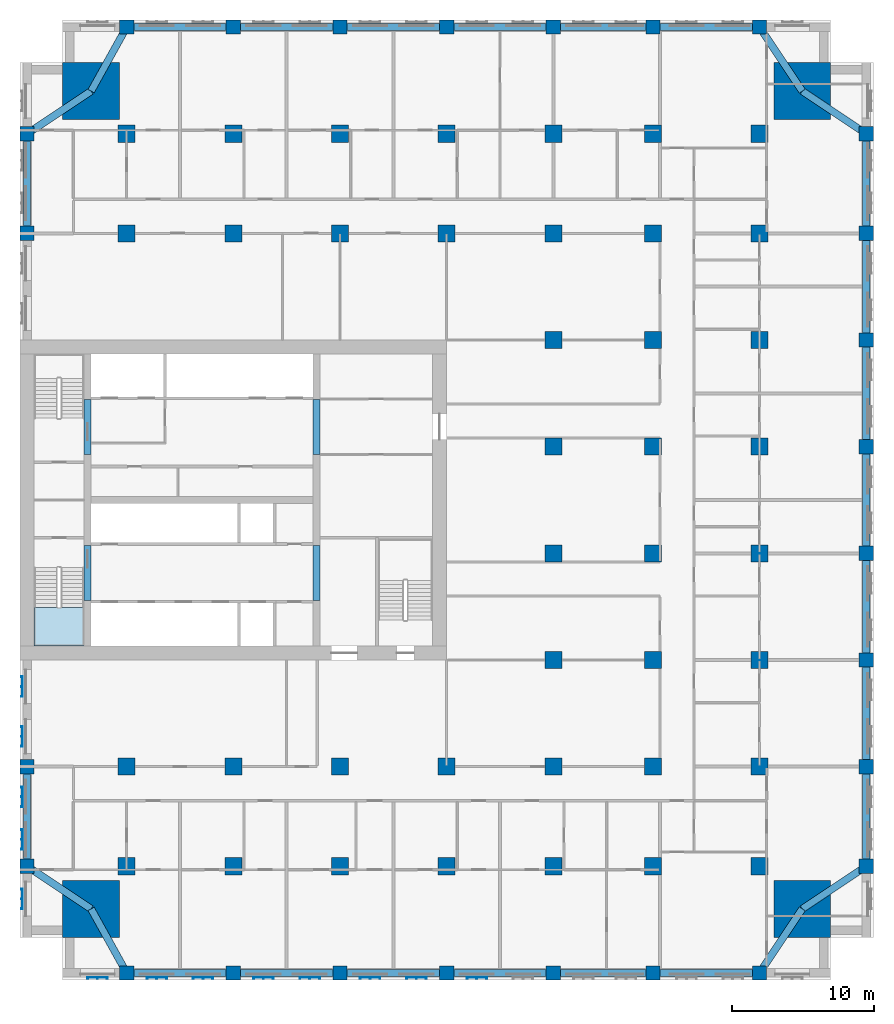
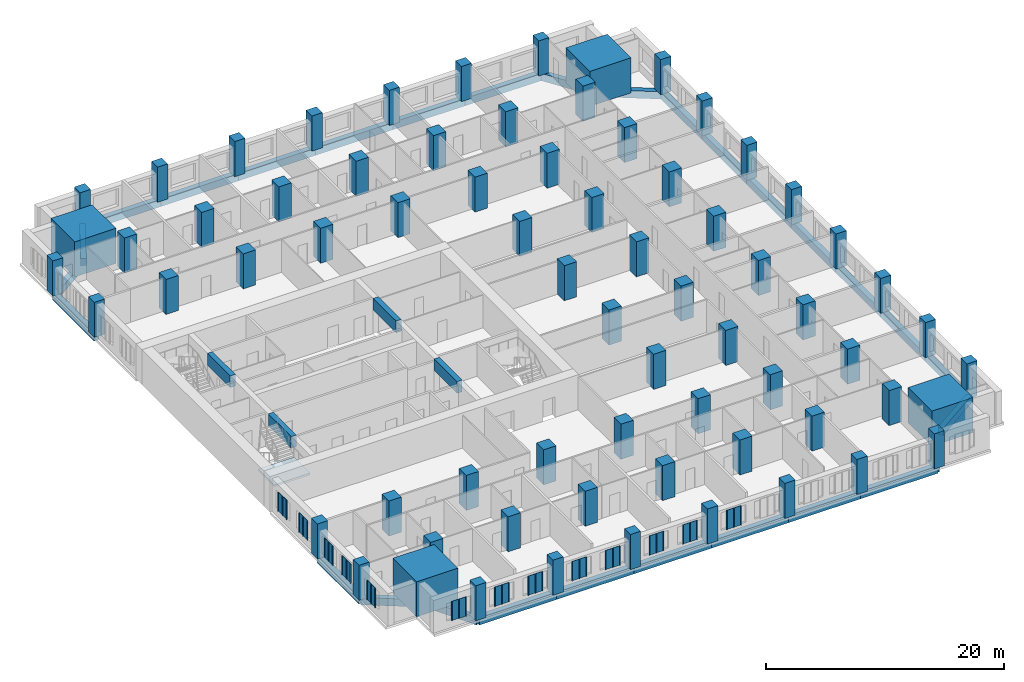
# One storey, part 1 of 14: 70 columns, 33 beams, 13 plates, 1 slab, 1 element without a shape of its own.
"""IFC4 building model written with IfcOpenShell, lengths in metres."""

import ifcopenshell
import ifcopenshell.guid

model = None  # the IFC model being written
_history = None  # IfcOwnerHistory: only IFC2X3 demands one
_inside = {}  # id of a spatial element -> (the spatial element, [elements in it])
_under = {}  # id of a project, library or spatial element -> (it, [spatial elements below it])
_declared = {}  # id of a project -> (the project, [libraries it declares])
_typed = {}  # id of a type object -> (the type object, [elements of that type])
_made_of = {}  # id of a material, layer set ... -> (it, [elements and type objects made of it])


def new_model(schema):
    """Start an empty IFC model of exactly this schema.

    Asked for "IFC4X3", IfcOpenShell would pick the latest addendum, in which some entities
    have other attributes; the version numbers below select the first issue.
    IFC2X3 requires an IfcOwnerHistory on every rooted entity: one is made here for all.
    """
    global model, _history
    if schema == "IFC4X3":
        model = ifcopenshell.file(schema_version=(4, 3, 0, 0))
    else:
        model = ifcopenshell.file(schema=schema)
    _inside.clear()
    _under.clear()
    _declared.clear()
    _typed.clear()
    _made_of.clear()
    _history = None
    if model.schema == "IFC2X3":
        org = make("IfcOrganization", Name="unknown")
        user = make(
            "IfcPersonAndOrganization",
            ThePerson=make("IfcPerson", FamilyName="unknown"),
            TheOrganization=org,
        )
        app = make(
            "IfcApplication",
            ApplicationDeveloper=org,
            Version="unknown",
            ApplicationFullName="unknown",
            ApplicationIdentifier="unknown",
        )
        _history = make(
            "IfcOwnerHistory",
            OwningUser=user,
            OwningApplication=app,
            ChangeAction="ADDED",
            CreationDate=0,
        )
    return model


def make(cls, **values):
    """One entity of the class cls with the attributes given. An attribute that is None is left unset."""
    return model.create_entity(
        cls, **{name: value for name, value in values.items() if value is not None}
    )


def rooted(cls, **values):
    """An entity with a GlobalId (a new one), such as an element, a storey or a relation."""
    return make(cls, GlobalId=ifcopenshell.guid.new(), OwnerHistory=_history, **values)


def si_unit(unit_type, name, prefix=None):
    """IfcSIUnit, for example si_unit("LENGTHUNIT", "METRE", prefix="MILLI")."""
    return make("IfcSIUnit", UnitType=unit_type, Prefix=prefix, Name=name)


def assignment(units):
    """IfcUnitAssignment: the units of a project."""
    return None if units is None else make("IfcUnitAssignment", Units=units)


def point(xyz):
    """IfcCartesianPoint."""
    return None if xyz is None else make("IfcCartesianPoint", Coordinates=xyz)


def direction(xyz):
    """IfcDirection."""
    return None if xyz is None else make("IfcDirection", DirectionRatios=xyz)


def frame(location, z_axis=None, x_axis=None):
    """IfcAxis2Placement3D, a coordinate frame: its origin and axes. An axis left out is left unset."""
    return make(
        "IfcAxis2Placement3D",
        Location=point(location),
        Axis=direction(z_axis),
        RefDirection=direction(x_axis),
    )


def frame_2d(location, x_axis=None):
    """IfcAxis2Placement2D, a coordinate frame in the plane: its origin and x axis."""
    return make(
        "IfcAxis2Placement2D", Location=point(location), RefDirection=direction(x_axis)
    )


def origin():
    """The frame at (0, 0, 0) with its axes left unset."""
    return frame((0.0, 0.0, 0.0))


def origin_2d():
    """The frame at (0, 0) in the plane with its x axis left unset."""
    return frame_2d((0.0, 0.0))


def place(relative_to, where):
    """IfcLocalPlacement: puts the frame where relative to a parent placement (None: the world)."""
    return make(
        "IfcLocalPlacement", PlacementRelTo=relative_to, RelativePlacement=where
    )


def context(
    kind, dimensions, precision=None, world=None, true_north=None, identifier=None
):
    """IfcGeometricRepresentationContext, for example the 3D "Model" context."""
    return make(
        "IfcGeometricRepresentationContext",
        ContextIdentifier=identifier,
        ContextType=kind,
        CoordinateSpaceDimension=dimensions,
        Precision=precision,
        WorldCoordinateSystem=world,
        TrueNorth=true_north,
    )


def subcontext(parent, identifier, kind, view, scale=None):
    """IfcGeometricRepresentationSubContext, for example "Body" below "Model"."""
    return make(
        "IfcGeometricRepresentationSubContext",
        ContextIdentifier=identifier,
        ContextType=kind,
        ParentContext=parent,
        TargetScale=scale,
        TargetView=view,
    )


def project(units=None, contexts=None):
    """IfcProject with its units and contexts."""
    return rooted(
        "IfcProject",
        Name="project",
        RepresentationContexts=contexts,
        UnitsInContext=assignment(units),
    )


def spatial(cls, under=None, at=None, **own):
    """A site, building, storey or space (cls), placed at a placement, below another one or the project."""
    s = rooted(cls, ObjectPlacement=at, **own)
    if under is not None:
        _under.setdefault(under.id(), (under, []))[1].append(s)
    return s


def polyline(points):
    """IfcPolyline through the points."""
    return make("IfcPolyline", Points=[point(p) for p in points])


def profile(cls, at=None, kind="AREA", **sizes):
    """A parametric profile (cls). Its sizes go by their IFC names, for example OverallWidth=200.0."""
    return make(cls, ProfileType=kind, Position=at, **sizes)


def rectangle(**sizes):
    """IfcRectangleProfileDef."""
    return profile("IfcRectangleProfileDef", **sizes)


def outline(outer, holes=None, kind="AREA"):
    """IfcArbitraryClosedProfileDef: a profile drawn as a closed curve; with holes, ...WithVoids."""
    if holes is None:
        return make("IfcArbitraryClosedProfileDef", ProfileType=kind, OuterCurve=outer)
    return make(
        "IfcArbitraryProfileDefWithVoids",
        ProfileType=kind,
        OuterCurve=outer,
        InnerCurves=holes,
    )


def extrude(swept, where, along, depth):
    """IfcExtrudedAreaSolid: the profile swept, set in the frame where, extruded along a direction by depth."""
    return make(
        "IfcExtrudedAreaSolid",
        SweptArea=swept,
        Position=where,
        ExtrudedDirection=direction(along),
        Depth=depth,
    )


def shape(context_of_items, identifier, shape_type, items):
    """IfcShapeRepresentation: the items that make up one representation, for example the "Body"."""
    return make(
        "IfcShapeRepresentation",
        ContextOfItems=context_of_items,
        RepresentationIdentifier=identifier,
        RepresentationType=shape_type,
        Items=items,
    )


def material(Name=None, Category=None):
    """IfcMaterial."""
    return make("IfcMaterial", Name=Name, Category=Category)


def layer(
    of_material, thickness, ventilated=None, Name=None, Category=None, Priority=None
):
    """IfcMaterialLayer: one layer of a wall or slab, of a material (None: an air gap)."""
    return make(
        "IfcMaterialLayer",
        Material=of_material,
        LayerThickness=thickness,
        IsVentilated=ventilated,
        Name=Name,
        Category=Category,
        Priority=Priority,
    )


def layer_set(layers, Name=None):
    """IfcMaterialLayerSet."""
    return make("IfcMaterialLayerSet", MaterialLayers=layers, LayerSetName=Name)


def material_profile(
    of_material, cross_section, Name=None, Category=None, Priority=None
):
    """IfcMaterialProfile: a cross section and its material."""
    return make(
        "IfcMaterialProfile",
        Name=Name,
        Material=of_material,
        Profile=cross_section,
        Priority=Priority,
        Category=Category,
    )


def profile_set(profiles, Name=None, composite=None):
    """IfcMaterialProfileSet."""
    return make(
        "IfcMaterialProfileSet",
        Name=Name,
        MaterialProfiles=profiles,
        CompositeProfile=composite,
    )


def made_of(thing, what):
    """Note that an element or type object is made of a material, layer set ...; save() writes the relation."""
    if what is not None:
        _made_of.setdefault(what.id(), (what, []))[1].append(thing)
    return thing


def type_object(cls, material=None, **own):
    """A type object (cls), such as IfcWallType, which elements share."""
    return made_of(rooted(cls, **own), material)


def element(
    cls,
    number,
    at=None,
    inside=None,
    cuts=None,
    type_object=None,
    material=None,
    context=None,
    identifier="Body",
    shape_type=None,
    held_by="IfcProductDefinitionShape",
    body=None,
    shapes=None,
    **own,
):
    """One element of the class cls, such as IfcWall. Its Tag is "e" and its number.

    at: its placement. inside: the storey or other place that contains it. cuts: it is an
    opening in that element (IfcRelVoidsElement). A single representation is given by context,
    identifier, shape_type and body (its items); several are given by shapes. held_by: the class
    of the entity that holds the representations. save() writes the other relations.
    """
    e = rooted(cls, Tag="e%d" % number, ObjectPlacement=at, **own)
    if body is not None:
        shapes = [shape(context, identifier, shape_type, body)]
    if shapes is not None:
        e.Representation = make(held_by, Representations=shapes)
    if inside is not None:
        _inside.setdefault(inside.id(), (inside, []))[1].append(e)
    if cuts is not None:
        rooted(
            "IfcRelVoidsElement", RelatingBuildingElement=cuts, RelatedOpeningElement=e
        )
    if type_object is not None:
        _typed.setdefault(type_object.id(), (type_object, []))[1].append(e)
    return made_of(e, material)


def aggregate(whole, parts):
    """IfcRelAggregates: a whole, such as a stair, and the parts it consists of."""
    return rooted("IfcRelAggregates", RelatingObject=whole, RelatedObjects=parts)


def save(model, path):
    """Write the relations noted so far, then the file.

    IfcRelAggregates (storeys below a building ...), IfcRelContainedInSpatialStructure (elements
    in a storey), IfcRelDefinesByType, IfcRelAssociatesMaterial and IfcRelDeclares: one each for
    every whole, place, type object, material and project.
    """
    for whole, parts in _under.values():
        aggregate(whole, parts)
    for where, things in _inside.values():
        rooted(
            "IfcRelContainedInSpatialStructure",
            RelatedElements=things,
            RelatingStructure=where,
        )
    for kind, things in _typed.values():
        rooted("IfcRelDefinesByType", RelatedObjects=things, RelatingType=kind)
    for what, things in _made_of.values():
        rooted("IfcRelAssociatesMaterial", RelatedObjects=things, RelatingMaterial=what)
    for by, libraries in _declared.values():
        rooted("IfcRelDeclares", RelatingContext=by, RelatedDefinitions=libraries)
    model.write(path)


model = new_model("IFC4")

# Units and contexts
model_context = context("Model", 3, precision=1e-05, world=origin(), true_north=direction((0.0, 1.0)))
body_context = subcontext(model_context, "Body", "Model", "MODEL_VIEW")
ifc_project = project(units=[si_unit("LENGTHUNIT", "METRE"), si_unit("AREAUNIT", "SQUARE_METRE"), si_unit("VOLUMEUNIT", "CUBIC_METRE"), si_unit("PLANEANGLEUNIT", "RADIAN"), si_unit("MASSUNIT", "GRAM", prefix="KILO")], contexts=[model_context])

# Site, building, storey
site_placement = place(None, origin())
site = spatial("IfcSite", under=ifc_project, at=site_placement, CompositionType="ELEMENT")
building_placement = place(site_placement, origin())
building = spatial("IfcBuilding", under=site, at=building_placement, Name="Tamorin Gate", CompositionType="ELEMENT")
storey_placement = place(building_placement, frame((0.0, 0.0, 52.0)))
storey = spatial("IfcBuildingStorey", under=building, at=storey_placement, Name="L11", CompositionType="ELEMENT", Elevation=52.0)

# Columns
ifc_material_1 = material(Name="Concrete C80/95", Category="concrete")
ifc_material_profile_1 = material_profile(ifc_material_1, rectangle(XDim=1.0, YDim=1.0, at=origin_2d()), Name="RC 1000x1000")
ifc_profile_set_1 = profile_set([ifc_material_profile_1], Name="Concrete C80/95")
column_type_1 = type_object("IfcColumnType", Name="RC column 1000x1000 C80/95", PredefinedType="COLUMN", material=ifc_profile_set_1)
for number, where, z_axis, x_axis, name in (
    (1, (30.5, 45.5, 0.0), (0.0, 0.0, 1.0), (1.0, 0.0, 0.0), "Ring column L11"),
    (2, (30.5, 52.5, 0.0), (0.0, 0.0, 1.0), (1.0, 0.0, 0.0), "Ring column L11"),
    (3, (30.5, 90.0, 0.0), (0.0, 0.0, 1.0), (1.0, 0.0, 0.0), "Ring column L11"),
    (4, (30.5, 97.0, 0.0), (0.0, 0.0, 1.0), (1.0, 0.0, 0.0), "Ring column L11"),
    (5, (37.5, 38.0, 0.0), (0.0, 0.0, 1.0), (1.0, 0.0, 0.0), "Ring column L11"),
    (6, (37.5, 104.5, 0.0), (0.0, 0.0, 1.0), (1.0, 0.0, 0.0), "Ring column L11"),
    (7, (45.0, 38.0, 0.0), (0.0, 0.0, 1.0), (1.0, 0.0, 0.0), "Ring column L11"),
    (8, (45.0, 104.5, 0.0), (0.0, 0.0, 1.0), (1.0, 0.0, 0.0), "Ring column L11"),
    (9, (52.5, 38.0, 0.0), (0.0, 0.0, 1.0), (1.0, 0.0, 0.0), "Ring column L11"),
    (10, (52.5, 104.5, 0.0), (0.0, 0.0, 1.0), (1.0, 0.0, 0.0), "Ring column L11"),
    (11, (60.0, 38.0, 0.0), (0.0, 0.0, 1.0), (1.0, 0.0, 0.0), "Ring column L11"),
    (12, (60.0, 104.5, 0.0), (0.0, 0.0, 1.0), (1.0, 0.0, 0.0), "Ring column L11"),
    (13, (67.5, 38.0, 0.0), (0.0, 0.0, 1.0), (1.0, 0.0, 0.0), "Ring column L11"),
    (14, (67.5, 104.5, 0.0), (0.0, 0.0, 1.0), (1.0, 0.0, 0.0), "Ring column L11"),
    (15, (74.5, 38.0, 0.0), (0.0, 0.0, 1.0), (1.0, 0.0, 0.0), "Ring column L11"),
    (16, (74.5, 104.5, 0.0), (0.0, 0.0, 1.0), (1.0, 0.0, 0.0), "Ring column L11"),
    (17, (82.0, 38.0, 0.0), (0.0, 0.0, 1.0), (1.0, 0.0, 0.0), "Ring column L11"),
    (18, (82.0, 104.5, 0.0), (0.0, 0.0, 1.0), (1.0, 0.0, 0.0), "Ring column L11"),
    (19, (89.5, 45.5, 0.0), (0.0, 0.0, 1.0), (1.0, 0.0, 0.0), "Ring column L11"),
    (20, (89.5, 52.5, 0.0), (0.0, 0.0, 1.0), (1.0, 0.0, 0.0), "Ring column L11"),
    (21, (89.5, 60.0, 0.0), (0.0, 0.0, 1.0), (1.0, 0.0, 0.0), "Ring column L11"),
    (22, (89.5, 67.5, 0.0), (0.0, 0.0, 1.0), (1.0, 0.0, 0.0), "Ring column L11"),
    (23, (89.5, 75.0, 0.0), (0.0, 0.0, 1.0), (1.0, 0.0, 0.0), "Ring column L11"),
    (24, (89.5, 82.5, 0.0), (0.0, 0.0, 1.0), (1.0, 0.0, 0.0), "Ring column L11"),
    (25, (89.5, 90.0, 0.0), (0.0, 0.0, 1.0), (1.0, 0.0, 0.0), "Ring column L11"),
    (26, (89.5, 97.0, 0.0), (0.0, 0.0, 1.0), (1.0, 0.0, 0.0), "Ring column L11"),
):
    element("IfcColumn", number, at=place(storey_placement, frame(where, z_axis=z_axis, x_axis=x_axis)), inside=storey, type_object=column_type_1, Name=name, PredefinedType="COLUMN", context=body_context, shape_type="SweptSolid", body=[
        extrude(rectangle(XDim=1.0, YDim=1.0, at=origin_2d()), origin(), (0.0, 0.0, 1.0), 3.60009765625),
    ])
ifc_material_profile_2 = material_profile(ifc_material_1, rectangle(XDim=1.199951171875, YDim=1.199951171875, at=origin_2d()), Name="RC 1200x1200")
ifc_profile_set_2 = profile_set([ifc_material_profile_2], Name="Concrete C80/95")
column_type_2 = type_object("IfcColumnType", Name="RC column 1200x1200 C80/95", PredefinedType="COLUMN", material=ifc_profile_set_2)
for number, where, z_axis, x_axis, name in (
    (27, (37.5, 45.5, 0.0), (0.0, 0.0, 1.0), (1.0, 0.0, 0.0), "Interior column L11"),
    (28, (37.5, 52.5, 0.0), (0.0, 0.0, 1.0), (1.0, 0.0, 0.0), "Interior column L11"),
    (29, (37.5, 90.0, 0.0), (0.0, 0.0, 1.0), (1.0, 0.0, 0.0), "Interior column L11"),
    (30, (37.5, 97.0, 0.0), (0.0, 0.0, 1.0), (1.0, 0.0, 0.0), "Interior column L11"),
    (31, (45.0, 45.5, 0.0), (0.0, 0.0, 1.0), (1.0, 0.0, 0.0), "Interior column L11"),
    (32, (45.0, 52.5, 0.0), (0.0, 0.0, 1.0), (1.0, 0.0, 0.0), "Interior column L11"),
    (33, (45.0, 90.0, 0.0), (0.0, 0.0, 1.0), (1.0, 0.0, 0.0), "Interior column L11"),
    (34, (45.0, 97.0, 0.0), (0.0, 0.0, 1.0), (1.0, 0.0, 0.0), "Interior column L11"),
    (35, (52.5, 45.5, 0.0), (0.0, 0.0, 1.0), (1.0, 0.0, 0.0), "Interior column L11"),
    (36, (52.5, 52.5, 0.0), (0.0, 0.0, 1.0), (1.0, 0.0, 0.0), "Interior column L11"),
    (37, (52.5, 90.0, 0.0), (0.0, 0.0, 1.0), (1.0, 0.0, 0.0), "Interior column L11"),
    (38, (52.5, 97.0, 0.0), (0.0, 0.0, 1.0), (1.0, 0.0, 0.0), "Interior column L11"),
    (39, (60.0, 45.5, 0.0), (0.0, 0.0, 1.0), (1.0, 0.0, 0.0), "Interior column L11"),
    (40, (60.0, 52.5, 0.0), (0.0, 0.0, 1.0), (1.0, 0.0, 0.0), "Interior column L11"),
    (41, (60.0, 90.0, 0.0), (0.0, 0.0, 1.0), (1.0, 0.0, 0.0), "Interior column L11"),
    (42, (60.0, 97.0, 0.0), (0.0, 0.0, 1.0), (1.0, 0.0, 0.0), "Interior column L11"),
    (43, (67.5, 45.5, 0.0), (0.0, 0.0, 1.0), (1.0, 0.0, 0.0), "Interior column L11"),
    (44, (67.5, 52.5, 0.0), (0.0, 0.0, 1.0), (1.0, 0.0, 0.0), "Interior column L11"),
    (45, (67.5, 60.0, 0.0), (0.0, 0.0, 1.0), (1.0, 0.0, 0.0), "Interior column L11"),
    (46, (67.5, 67.5, 0.0), (0.0, 0.0, 1.0), (1.0, 0.0, 0.0), "Interior column L11"),
    (47, (67.5, 75.0, 0.0), (0.0, 0.0, 1.0), (1.0, 0.0, 0.0), "Interior column L11"),
    (48, (67.5, 82.5, 0.0), (0.0, 0.0, 1.0), (1.0, 0.0, 0.0), "Interior column L11"),
    (49, (67.5, 90.0, 0.0), (0.0, 0.0, 1.0), (1.0, 0.0, 0.0), "Interior column L11"),
    (50, (67.5, 97.0, 0.0), (0.0, 0.0, 1.0), (1.0, 0.0, 0.0), "Interior column L11"),
    (51, (74.5, 45.5, 0.0), (0.0, 0.0, 1.0), (1.0, 0.0, 0.0), "Interior column L11"),
    (52, (74.5, 52.5, 0.0), (0.0, 0.0, 1.0), (1.0, 0.0, 0.0), "Interior column L11"),
    (53, (74.5, 60.0, 0.0), (0.0, 0.0, 1.0), (1.0, 0.0, 0.0), "Interior column L11"),
    (54, (74.5, 67.5, 0.0), (0.0, 0.0, 1.0), (1.0, 0.0, 0.0), "Interior column L11"),
    (55, (74.5, 75.0, 0.0), (0.0, 0.0, 1.0), (1.0, 0.0, 0.0), "Interior column L11"),
    (56, (74.5, 82.5, 0.0), (0.0, 0.0, 1.0), (1.0, 0.0, 0.0), "Interior column L11"),
    (57, (74.5, 90.0, 0.0), (0.0, 0.0, 1.0), (1.0, 0.0, 0.0), "Interior column L11"),
    (58, (74.5, 97.0, 0.0), (0.0, 0.0, 1.0), (1.0, 0.0, 0.0), "Interior column L11"),
    (59, (82.0, 45.5, 0.0), (0.0, 0.0, 1.0), (1.0, 0.0, 0.0), "Interior column L11"),
    (60, (82.0, 52.5, 0.0), (0.0, 0.0, 1.0), (1.0, 0.0, 0.0), "Interior column L11"),
    (61, (82.0, 60.0, 0.0), (0.0, 0.0, 1.0), (1.0, 0.0, 0.0), "Interior column L11"),
    (62, (82.0, 67.5, 0.0), (0.0, 0.0, 1.0), (1.0, 0.0, 0.0), "Interior column L11"),
    (63, (82.0, 75.0, 0.0), (0.0, 0.0, 1.0), (1.0, 0.0, 0.0), "Interior column L11"),
    (64, (82.0, 82.5, 0.0), (0.0, 0.0, 1.0), (1.0, 0.0, 0.0), "Interior column L11"),
    (65, (82.0, 90.0, 0.0), (0.0, 0.0, 1.0), (1.0, 0.0, 0.0), "Interior column L11"),
    (66, (82.0, 97.0, 0.0), (0.0, 0.0, 1.0), (1.0, 0.0, 0.0), "Interior column L11"),
):
    element("IfcColumn", number, at=place(storey_placement, frame(where, z_axis=z_axis, x_axis=x_axis)), inside=storey, type_object=column_type_2, Name=name, PredefinedType="COLUMN", context=body_context, shape_type="SweptSolid", body=[
        extrude(rectangle(XDim=1.199951171875, YDim=1.199951171875, at=origin_2d()), origin(), (0.0, 0.0, 1.0), 3.60009765625),
    ])
ifc_material_profile_3 = material_profile(ifc_material_1, rectangle(XDim=4.0, YDim=4.0, at=origin_2d()), Name="RC 4000x4000")
ifc_profile_set_3 = profile_set([ifc_material_profile_3], Name="Concrete C80/95")
column_type_3 = type_object("IfcColumnType", Name="RC column 4000x4000 C80/95", PredefinedType="COLUMN", material=ifc_profile_set_3)
for number, where, z_axis, x_axis, name in (
    (67, (35.0, 42.5, 0.0), (0.0, 0.0, 1.0), (1.0, 0.0, 0.0), "Mega column SW L11"),
    (68, (85.0, 42.5, 0.0), (0.0, 0.0, 1.0), (1.0, 0.0, 0.0), "Mega column SE L11"),
    (69, (35.0, 100.0, 0.0), (0.0, 0.0, 1.0), (1.0, 0.0, 0.0), "Mega column NW L11"),
    (70, (85.0, 100.0, 0.0), (0.0, 0.0, 1.0), (1.0, 0.0, 0.0), "Mega column NE L11"),
):
    element("IfcColumn", number, at=place(storey_placement, frame(where, z_axis=z_axis, x_axis=x_axis)), inside=storey, type_object=column_type_3, Name=name, PredefinedType="COLUMN", context=body_context, shape_type="SweptSolid", body=[
        extrude(rectangle(XDim=4.0, YDim=4.0, at=origin_2d()), origin(), (0.0, 0.0, 1.0), 3.60009765625),
    ])

# Beams
ifc_material_profile_4 = material_profile(ifc_material_1, rectangle(XDim=0.5, YDim=1.199951171875, at=origin_2d()), Name="RC 500x1200")
ifc_profile_set_4 = profile_set([ifc_material_profile_4], Name="Concrete C80/95")
beam_type_1 = type_object("IfcBeamType", Name="RC coupling beam 500x1200 C80/95", PredefinedType="BEAM", material=ifc_profile_set_4)
for number, where, z_axis, x_axis, name in (
    (71, (34.75, 64.199951171875, 3.0), (0.0, 1.0, 0.0), (-1.0, 0.0, 0.0), "Coupling beam L11"),
    (72, (34.75, 74.449951171875, 3.0), (0.0, 1.0, 0.0), (-1.0, 0.0, 0.0), "Coupling beam L11"),
    (73, (50.85009765625, 64.199951171875, 3.0), (0.0, 1.0, 0.0), (-1.0, 0.0, 0.0), "Coupling beam L11"),
    (74, (50.85009765625, 74.449951171875, 3.0), (0.0, 1.0, 0.0), (-1.0, 0.0, 0.0), "Coupling beam L11"),
):
    element("IfcBeam", number, at=place(storey_placement, frame(where, z_axis=z_axis, x_axis=x_axis)), inside=storey, type_object=beam_type_1, Name=name, PredefinedType="BEAM", context=body_context, shape_type="SweptSolid", body=[
        extrude(rectangle(XDim=0.5, YDim=1.199951171875, at=origin_2d()), origin(), (0.0, 0.0, 1.0), 3.85009765625),
    ])
ifc_material_2 = material(Name="Concrete C50/60", Category="concrete")
ifc_material_profile_5 = material_profile(ifc_material_2, rectangle(XDim=0.5, YDim=0.75, at=origin_2d()), Name="RC 500x750")
ifc_profile_set_5 = profile_set([ifc_material_profile_5], Name="Concrete C50/60")
beam_type_2 = type_object("IfcBeamType", Name="RC spandrel 500x750 C50/60", PredefinedType="BEAM", material=ifc_profile_set_5)
for number, where, z_axis, x_axis, name in (
    (75, (37.5, 38.0, -0.375), (1.0, 0.0, 0.0), (0.0, 1.0, 0.0), "Spandrel beam L11"),
    (76, (45.0, 38.0, -0.375), (1.0, 0.0, 0.0), (0.0, 1.0, 0.0), "Spandrel beam L11"),
    (77, (52.5, 38.0, -0.375), (1.0, 0.0, 0.0), (0.0, 1.0, 0.0), "Spandrel beam L11"),
    (78, (60.0, 38.0, -0.375), (1.0, 0.0, 0.0), (0.0, 1.0, 0.0), "Spandrel beam L11"),
):
    element("IfcBeam", number, at=place(storey_placement, frame(where, z_axis=z_axis, x_axis=x_axis)), inside=storey, type_object=beam_type_2, Name=name, PredefinedType="BEAM", context=body_context, shape_type="SweptSolid", body=[
        extrude(rectangle(XDim=0.5, YDim=0.75, at=origin_2d()), origin(), (0.0, 0.0, 1.0), 7.5),
    ])
beam_1_placement = place(storey_placement, frame((67.5, 38.0, -0.375), z_axis=(1.0, 0.0, 0.0), x_axis=(0.0, 1.0, 0.0)))
element("IfcBeam", 79, at=beam_1_placement, inside=storey, type_object=beam_type_2, Name="Spandrel beam L11", PredefinedType="BEAM", context=body_context, shape_type="SweptSolid", body=[
    extrude(rectangle(XDim=0.5, YDim=0.75, at=origin_2d()), origin(), (0.0, 0.0, 1.0), 7.0),
])
beam_2_placement = place(storey_placement, frame((74.5, 38.0, -0.375), z_axis=(1.0, 0.0, 0.0), x_axis=(0.0, 1.0, 0.0)))
element("IfcBeam", 80, at=beam_2_placement, inside=storey, type_object=beam_type_2, Name="Spandrel beam L11", PredefinedType="BEAM", context=body_context, shape_type="SweptSolid", body=[
    extrude(rectangle(XDim=0.5, YDim=0.75, at=origin_2d()), origin(), (0.0, 0.0, 1.0), 7.5),
])
beam_3_placement = place(storey_placement, frame((89.5, 45.5, -0.375), z_axis=(0.0, 1.0, 0.0), x_axis=(-1.0, 0.0, 0.0)))
element("IfcBeam", 81, at=beam_3_placement, inside=storey, type_object=beam_type_2, Name="Spandrel beam L11", PredefinedType="BEAM", context=body_context, shape_type="SweptSolid", body=[
    extrude(rectangle(XDim=0.5, YDim=0.75, at=origin_2d()), origin(), (0.0, 0.0, 1.0), 7.0),
])
for number, where, z_axis, x_axis, name in (
    (82, (89.5, 52.5, -0.375), (0.0, 1.0, 0.0), (-1.0, 0.0, 0.0), "Spandrel beam L11"),
    (83, (89.5, 60.0, -0.375), (0.0, 1.0, 0.0), (-1.0, 0.0, 0.0), "Spandrel beam L11"),
    (84, (89.5, 67.5, -0.375), (0.0, 1.0, 0.0), (-1.0, 0.0, 0.0), "Spandrel beam L11"),
    (85, (89.5, 75.0, -0.375), (0.0, 1.0, 0.0), (-1.0, 0.0, 0.0), "Spandrel beam L11"),
    (86, (89.5, 82.5, -0.375), (0.0, 1.0, 0.0), (-1.0, 0.0, 0.0), "Spandrel beam L11"),
):
    element("IfcBeam", number, at=place(storey_placement, frame(where, z_axis=z_axis, x_axis=x_axis)), inside=storey, type_object=beam_type_2, Name=name, PredefinedType="BEAM", context=body_context, shape_type="SweptSolid", body=[
        extrude(rectangle(XDim=0.5, YDim=0.75, at=origin_2d()), origin(), (0.0, 0.0, 1.0), 7.5),
    ])
beam_4_placement = place(storey_placement, frame((89.5, 90.0, -0.375), z_axis=(0.0, 1.0, 0.0), x_axis=(-1.0, 0.0, 0.0)))
element("IfcBeam", 87, at=beam_4_placement, inside=storey, type_object=beam_type_2, Name="Spandrel beam L11", PredefinedType="BEAM", context=body_context, shape_type="SweptSolid", body=[
    extrude(rectangle(XDim=0.5, YDim=0.75, at=origin_2d()), origin(), (0.0, 0.0, 1.0), 7.0),
])
beam_5_placement = place(storey_placement, frame((82.0, 104.5, -0.375), z_axis=(-1.0, 0.0, 0.0), x_axis=(0.0, -1.0, 0.0)))
element("IfcBeam", 88, at=beam_5_placement, inside=storey, type_object=beam_type_2, Name="Spandrel beam L11", PredefinedType="BEAM", context=body_context, shape_type="SweptSolid", body=[
    extrude(rectangle(XDim=0.5, YDim=0.75, at=origin_2d()), origin(), (0.0, 0.0, 1.0), 7.5),
])
beam_6_placement = place(storey_placement, frame((74.5, 104.5, -0.375), z_axis=(-1.0, 0.0, 0.0), x_axis=(0.0, -1.0, 0.0)))
element("IfcBeam", 89, at=beam_6_placement, inside=storey, type_object=beam_type_2, Name="Spandrel beam L11", PredefinedType="BEAM", context=body_context, shape_type="SweptSolid", body=[
    extrude(rectangle(XDim=0.5, YDim=0.75, at=origin_2d()), origin(), (0.0, 0.0, 1.0), 7.0),
])
for number, where, z_axis, x_axis, name in (
    (90, (67.5, 104.5, -0.375), (-1.0, 0.0, 0.0), (0.0, -1.0, 0.0), "Spandrel beam L11"),
    (91, (60.0, 104.5, -0.375), (-1.0, 0.0, 0.0), (0.0, -1.0, 0.0), "Spandrel beam L11"),
    (92, (52.5, 104.5, -0.375), (-1.0, 0.0, 0.0), (0.0, -1.0, 0.0), "Spandrel beam L11"),
    (93, (45.0, 104.5, -0.375), (-1.0, 0.0, 0.0), (0.0, -1.0, 0.0), "Spandrel beam L11"),
):
    element("IfcBeam", number, at=place(storey_placement, frame(where, z_axis=z_axis, x_axis=x_axis)), inside=storey, type_object=beam_type_2, Name=name, PredefinedType="BEAM", context=body_context, shape_type="SweptSolid", body=[
        extrude(rectangle(XDim=0.5, YDim=0.75, at=origin_2d()), origin(), (0.0, 0.0, 1.0), 7.5),
    ])
for number, where, z_axis, x_axis, name in (
    (94, (30.5, 97.0, -0.375), (0.0, -1.0, 0.0), (1.0, 0.0, 0.0), "Spandrel beam L11"),
    (95, (30.5, 52.5, -0.375), (0.0, -1.0, 0.0), (1.0, 0.0, 0.0), "Spandrel beam L11"),
):
    element("IfcBeam", number, at=place(storey_placement, frame(where, z_axis=z_axis, x_axis=x_axis)), inside=storey, type_object=beam_type_2, Name=name, PredefinedType="BEAM", context=body_context, shape_type="SweptSolid", body=[
        extrude(rectangle(XDim=0.5, YDim=0.75, at=origin_2d()), origin(), (0.0, 0.0, 1.0), 7.0),
    ])
beam_7_placement = place(storey_placement, frame((35.0, 42.5, -0.375), z_axis=(0.485642931179, -0.874157276122, 0.0), x_axis=(0.874157276122, 0.485642931179, 0.0)))
element("IfcBeam", 96, at=beam_7_placement, inside=storey, type_object=beam_type_2, Name="Corner tie beam L11", PredefinedType="BEAM", context=body_context, shape_type="SweptSolid", body=[
    extrude(rectangle(XDim=0.5, YDim=0.75, at=origin_2d()), origin(), (0.0, 0.0, 1.0), 5.147705078125),
])
for number, where, z_axis, x_axis, name in (
    (97, (35.0, 42.5, -0.375), (-0.832050294338, 0.554700196225, 0.0), (-0.554700196225, -0.832050294338, 0.0), "Corner tie beam L11"),
    (98, (85.0, 42.5, -0.375), (-0.554700196225, -0.832050294338, 0.0), (0.832050294338, -0.554700196225, 0.0), "Corner tie beam L11"),
    (99, (85.0, 42.5, -0.375), (0.832050294338, 0.554700196225, 0.0), (-0.554700196225, 0.832050294338, 0.0), "Corner tie beam L11"),
):
    element("IfcBeam", number, at=place(storey_placement, frame(where, z_axis=z_axis, x_axis=x_axis)), inside=storey, type_object=beam_type_2, Name=name, PredefinedType="BEAM", context=body_context, shape_type="SweptSolid", body=[
        extrude(rectangle(XDim=0.5, YDim=0.75, at=origin_2d()), origin(), (0.0, 0.0, 1.0), 5.408447265625),
    ])
beam_8_placement = place(storey_placement, frame((35.0, 100.0, -0.375), z_axis=(0.485642931179, 0.874157276122, 0.0), x_axis=(-0.874157276122, 0.485642931179, 0.0)))
element("IfcBeam", 100, at=beam_8_placement, inside=storey, type_object=beam_type_2, Name="Corner tie beam L11", PredefinedType="BEAM", context=body_context, shape_type="SweptSolid", body=[
    extrude(rectangle(XDim=0.5, YDim=0.75, at=origin_2d()), origin(), (0.0, 0.0, 1.0), 5.147705078125),
])
for number, where, z_axis, x_axis, name in (
    (101, (35.0, 100.0, -0.375), (-0.832050294338, -0.554700196225, 0.0), (0.554700196225, -0.832050294338, 0.0), "Corner tie beam L11"),
    (102, (85.0, 100.0, -0.375), (-0.554700196225, 0.832050294338, 0.0), (-0.832050294338, -0.554700196225, 0.0), "Corner tie beam L11"),
    (103, (85.0, 100.0, -0.375), (0.832050294338, -0.554700196225, 0.0), (0.554700196225, 0.832050294338, 0.0), "Corner tie beam L11"),
):
    element("IfcBeam", number, at=place(storey_placement, frame(where, z_axis=z_axis, x_axis=x_axis)), inside=storey, type_object=beam_type_2, Name=name, PredefinedType="BEAM", context=body_context, shape_type="SweptSolid", body=[
        extrude(rectangle(XDim=0.5, YDim=0.75, at=origin_2d()), origin(), (0.0, 0.0, 1.0), 5.408447265625),
    ])

# Stair, slab
ifc_material_3 = material(Name="Concrete C40/50", Category="concrete")
stair_type = type_object("IfcStairType", Name="Exit stair", PredefinedType="HALF_TURN_STAIR", material=ifc_material_3)
stair_placement = place(storey_placement, origin())
stair = element("IfcStair", 104, at=stair_placement, inside=storey, type_object=stair_type, Name="L11 stair ST1", PredefinedType="HALF_TURN_STAIR")
ifc_layer_1 = layer(ifc_material_3, 0.199951171875)
ifc_layer_set_1 = layer_set([ifc_layer_1], Name="Exit stair landing 200")
slab_type = type_object("IfcSlabType", Name="Exit stair landing 200", PredefinedType="LANDING", material=ifc_layer_set_1)
slab_placement = place(storey_placement, frame((0.0, 0.0, 1.60009765625)))
slab = element("IfcSlab", 105, at=slab_placement, type_object=slab_type, Name="ST1 landing 1", PredefinedType="LANDING", context=body_context, shape_type="SweptSolid", body=[
    extrude(outline(polyline([(31.0, 63.699951171875), (31.0, 61.0), (34.5, 61.0), (34.5, 63.699951171875), (31.0, 63.699951171875)])), origin(), (0.0, 0.0, 1.0), 0.199951171875),
])
aggregate(stair, [slab])

# Plates
ifc_material_4 = material(Name="Perforated pale aluminium sheet", Category="aluminium")
ifc_layer_2 = layer(ifc_material_4, 0.0400390625)
ifc_layer_set_2 = layer_set([ifc_layer_2], Name="Pale metal solar screen 1440")
plate_type = type_object("IfcPlateType", Name="Pale metal solar screen 1440", PredefinedType="SHEET", material=ifc_layer_set_2)
plate_1_placement = place(storey_placement, frame((0.0, 0.0, 0.7099609375)))
element("IfcPlate", 106, at=plate_1_placement, inside=storey, type_object=plate_type, Name="Perforated solar screen", PredefinedType="SHEET", context=body_context, shape_type="SweptSolid", body=[
    extrude(outline(polyline([(34.72998046875, 37.659912109375), (34.72998046875, 37.699951171875), (34.7900390625, 37.699951171875), (35.419921875, 37.699951171875), (35.47998046875, 37.699951171875), (36.110107421875, 37.699951171875), (36.169921875, 37.699951171875), (36.169921875, 37.659912109375), (36.169921875, 37.60009765625), (36.110107421875, 37.60009765625), (36.110107421875, 37.659912109375), (35.47998046875, 37.659912109375), (35.47998046875, 37.60009765625), (35.419921875, 37.60009765625), (35.419921875, 37.659912109375), (34.7900390625, 37.659912109375), (34.7900390625, 37.60009765625), (34.72998046875, 37.60009765625), (34.72998046875, 37.659912109375)])), origin(), (0.0, 0.0, 1.0), 1.97998046875),
])
plate_2_placement = place(storey_placement, frame((0.0, 0.0, 0.7099609375)))
element("IfcPlate", 107, at=plate_2_placement, inside=storey, type_object=plate_type, Name="Perforated solar screen", PredefinedType="SHEET", context=body_context, shape_type="SweptSolid", body=[
    extrude(outline(polyline([(38.905029296875, 37.659912109375), (38.905029296875, 37.699951171875), (38.965087890625, 37.699951171875), (39.594970703125, 37.699951171875), (39.655029296875, 37.699951171875), (40.284912109375, 37.699951171875), (40.344970703125, 37.699951171875), (40.344970703125, 37.699951171875), (40.344970703125, 37.659912109375), (40.344970703125, 37.659912109375), (40.344970703125, 37.60009765625), (40.284912109375, 37.60009765625), (40.284912109375, 37.659912109375), (39.655029296875, 37.659912109375), (39.655029296875, 37.60009765625), (39.594970703125, 37.60009765625), (39.594970703125, 37.659912109375), (38.965087890625, 37.659912109375), (38.965087890625, 37.60009765625), (38.905029296875, 37.60009765625), (38.905029296875, 37.659912109375)])), origin(), (0.0, 0.0, 1.0), 1.97998046875),
])
plate_3_placement = place(storey_placement, frame((0.0, 0.0, 0.7099609375)))
element("IfcPlate", 108, at=plate_3_placement, inside=storey, type_object=plate_type, Name="Perforated solar screen", PredefinedType="SHEET", context=body_context, shape_type="SweptSolid", body=[
    extrude(outline(polyline([(42.155029296875, 37.659912109375), (42.155029296875, 37.699951171875), (42.215087890625, 37.699951171875), (42.844970703125, 37.699951171875), (42.905029296875, 37.699951171875), (43.534912109375, 37.699951171875), (43.594970703125, 37.699951171875), (43.594970703125, 37.659912109375), (43.594970703125, 37.60009765625), (43.534912109375, 37.60009765625), (43.534912109375, 37.659912109375), (42.905029296875, 37.659912109375), (42.905029296875, 37.60009765625), (42.844970703125, 37.60009765625), (42.844970703125, 37.659912109375), (42.215087890625, 37.659912109375), (42.215087890625, 37.60009765625), (42.155029296875, 37.60009765625), (42.155029296875, 37.659912109375)])), origin(), (0.0, 0.0, 1.0), 1.97998046875),
])
plate_4_placement = place(storey_placement, frame((0.0, 0.0, 0.7099609375)))
element("IfcPlate", 109, at=plate_4_placement, inside=storey, type_object=plate_type, Name="Perforated solar screen", PredefinedType="SHEET", context=body_context, shape_type="SweptSolid", body=[
    extrude(outline(polyline([(46.405029296875, 37.659912109375), (46.405029296875, 37.699951171875), (46.465087890625, 37.699951171875), (47.094970703125, 37.699951171875), (47.155029296875, 37.699951171875), (47.784912109375, 37.699951171875), (47.844970703125, 37.699951171875), (47.844970703125, 37.659912109375), (47.844970703125, 37.60009765625), (47.784912109375, 37.60009765625), (47.784912109375, 37.659912109375), (47.155029296875, 37.659912109375), (47.155029296875, 37.60009765625), (47.094970703125, 37.60009765625), (47.094970703125, 37.659912109375), (46.465087890625, 37.659912109375), (46.465087890625, 37.60009765625), (46.405029296875, 37.60009765625), (46.405029296875, 37.659912109375)])), origin(), (0.0, 0.0, 1.0), 1.97998046875),
])
plate_5_placement = place(storey_placement, frame((0.0, 0.0, 0.7099609375)))
element("IfcPlate", 110, at=plate_5_placement, inside=storey, type_object=plate_type, Name="Perforated solar screen", PredefinedType="SHEET", context=body_context, shape_type="SweptSolid", body=[
    extrude(outline(polyline([(49.655029296875, 37.659912109375), (49.655029296875, 37.699951171875), (49.715087890625, 37.699951171875), (50.344970703125, 37.699951171875), (50.405029296875, 37.699951171875), (51.034912109375, 37.699951171875), (51.094970703125, 37.699951171875), (51.094970703125, 37.659912109375), (51.094970703125, 37.60009765625), (51.034912109375, 37.60009765625), (51.034912109375, 37.659912109375), (50.405029296875, 37.659912109375), (50.405029296875, 37.60009765625), (50.344970703125, 37.60009765625), (50.344970703125, 37.659912109375), (49.715087890625, 37.659912109375), (49.715087890625, 37.60009765625), (49.655029296875, 37.60009765625), (49.655029296875, 37.659912109375)])), origin(), (0.0, 0.0, 1.0), 1.97998046875),
])
plate_6_placement = place(storey_placement, frame((0.0, 0.0, 0.7099609375)))
element("IfcPlate", 111, at=plate_6_placement, inside=storey, type_object=plate_type, Name="Perforated solar screen", PredefinedType="SHEET", context=body_context, shape_type="SweptSolid", body=[
    extrude(outline(polyline([(53.905029296875, 37.659912109375), (53.905029296875, 37.699951171875), (53.965087890625, 37.699951171875), (54.594970703125, 37.699951171875), (54.655029296875, 37.699951171875), (55.284912109375, 37.699951171875), (55.344970703125, 37.699951171875), (55.344970703125, 37.659912109375), (55.344970703125, 37.60009765625), (55.284912109375, 37.60009765625), (55.284912109375, 37.659912109375), (54.655029296875, 37.659912109375), (54.655029296875, 37.60009765625), (54.594970703125, 37.60009765625), (54.594970703125, 37.659912109375), (53.965087890625, 37.659912109375), (53.965087890625, 37.60009765625), (53.905029296875, 37.60009765625), (53.905029296875, 37.659912109375)])), origin(), (0.0, 0.0, 1.0), 1.97998046875),
])
plate_7_placement = place(storey_placement, frame((0.0, 0.0, 0.7099609375)))
element("IfcPlate", 112, at=plate_7_placement, inside=storey, type_object=plate_type, Name="Perforated solar screen", PredefinedType="SHEET", context=body_context, shape_type="SweptSolid", body=[
    extrude(outline(polyline([(57.155029296875, 37.659912109375), (57.155029296875, 37.699951171875), (57.215087890625, 37.699951171875), (57.844970703125, 37.699951171875), (57.905029296875, 37.699951171875), (58.534912109375, 37.699951171875), (58.594970703125, 37.699951171875), (58.594970703125, 37.659912109375), (58.594970703125, 37.60009765625), (58.534912109375, 37.60009765625), (58.534912109375, 37.659912109375), (57.905029296875, 37.659912109375), (57.905029296875, 37.60009765625), (57.844970703125, 37.60009765625), (57.844970703125, 37.659912109375), (57.215087890625, 37.659912109375), (57.215087890625, 37.60009765625), (57.155029296875, 37.60009765625), (57.155029296875, 37.659912109375)])), origin(), (0.0, 0.0, 1.0), 1.97998046875),
])
plate_8_placement = place(storey_placement, frame((0.0, 0.0, 0.7099609375)))
element("IfcPlate", 113, at=plate_8_placement, inside=storey, type_object=plate_type, Name="Perforated solar screen", PredefinedType="SHEET", context=body_context, shape_type="SweptSolid", body=[
    extrude(outline(polyline([(61.405029296875, 37.659912109375), (61.405029296875, 37.699951171875), (61.465087890625, 37.699951171875), (62.094970703125, 37.699951171875), (62.155029296875, 37.699951171875), (62.784912109375, 37.699951171875), (62.844970703125, 37.699951171875), (62.844970703125, 37.659912109375), (62.844970703125, 37.60009765625), (62.784912109375, 37.60009765625), (62.784912109375, 37.659912109375), (62.155029296875, 37.659912109375), (62.155029296875, 37.60009765625), (62.094970703125, 37.60009765625), (62.094970703125, 37.659912109375), (61.465087890625, 37.659912109375), (61.465087890625, 37.60009765625), (61.405029296875, 37.60009765625), (61.405029296875, 37.659912109375)])), origin(), (0.0, 0.0, 1.0), 1.97998046875),
])
plate_9_placement = place(storey_placement, frame((0.0, 0.0, 0.7099609375)))
element("IfcPlate", 114, at=plate_9_placement, inside=storey, type_object=plate_type, Name="Perforated solar screen", PredefinedType="SHEET", context=body_context, shape_type="SweptSolid", body=[
    extrude(outline(polyline([(30.159912109375, 55.344970703125), (30.199951171875, 55.344970703125), (30.199951171875, 55.284912109375), (30.199951171875, 54.655029296875), (30.199951171875, 54.594970703125), (30.199951171875, 53.965087890625), (30.199951171875, 53.905029296875), (30.159912109375, 53.905029296875), (30.10009765625, 53.905029296875), (30.10009765625, 53.965087890625), (30.159912109375, 53.965087890625), (30.159912109375, 54.594970703125), (30.10009765625, 54.594970703125), (30.10009765625, 54.655029296875), (30.159912109375, 54.655029296875), (30.159912109375, 55.284912109375), (30.10009765625, 55.284912109375), (30.10009765625, 55.344970703125), (30.159912109375, 55.344970703125)])), origin(), (0.0, 0.0, 1.0), 1.97998046875),
])
plate_10_placement = place(storey_placement, frame((0.0, 0.0, 0.7099609375)))
element("IfcPlate", 115, at=plate_10_placement, inside=storey, type_object=plate_type, Name="Perforated solar screen", PredefinedType="SHEET", context=body_context, shape_type="SweptSolid", body=[
    extrude(outline(polyline([(30.159912109375, 58.844970703125), (30.199951171875, 58.844970703125), (30.199951171875, 58.784912109375), (30.199951171875, 58.155029296875), (30.199951171875, 58.094970703125), (30.199951171875, 57.465087890625), (30.199951171875, 57.405029296875), (30.159912109375, 57.405029296875), (30.10009765625, 57.405029296875), (30.10009765625, 57.465087890625), (30.159912109375, 57.465087890625), (30.159912109375, 58.094970703125), (30.10009765625, 58.094970703125), (30.10009765625, 58.155029296875), (30.159912109375, 58.155029296875), (30.159912109375, 58.784912109375), (30.10009765625, 58.784912109375), (30.10009765625, 58.844970703125), (30.159912109375, 58.844970703125)])), origin(), (0.0, 0.0, 1.0), 1.97998046875),
])
plate_11_placement = place(storey_placement, frame((0.0, 0.0, 0.7099609375)))
element("IfcPlate", 116, at=plate_11_placement, inside=storey, type_object=plate_type, Name="Perforated solar screen", PredefinedType="SHEET", context=body_context, shape_type="SweptSolid", body=[
    extrude(outline(polyline([(30.159912109375, 48.094970703125), (30.199951171875, 48.094970703125), (30.199951171875, 48.034912109375), (30.199951171875, 47.405029296875), (30.199951171875, 47.344970703125), (30.199951171875, 46.715087890625), (30.199951171875, 46.655029296875), (30.159912109375, 46.655029296875), (30.10009765625, 46.655029296875), (30.10009765625, 46.715087890625), (30.159912109375, 46.715087890625), (30.159912109375, 47.344970703125), (30.10009765625, 47.344970703125), (30.10009765625, 47.405029296875), (30.159912109375, 47.405029296875), (30.159912109375, 48.034912109375), (30.10009765625, 48.034912109375), (30.10009765625, 48.094970703125), (30.159912109375, 48.094970703125)])), origin(), (0.0, 0.0, 1.0), 1.97998046875),
])
plate_12_placement = place(storey_placement, frame((0.0, 0.0, 0.7099609375)))
element("IfcPlate", 117, at=plate_12_placement, inside=storey, type_object=plate_type, Name="Perforated solar screen", PredefinedType="SHEET", context=body_context, shape_type="SweptSolid", body=[
    extrude(outline(polyline([(30.159912109375, 51.094970703125), (30.199951171875, 51.094970703125), (30.199951171875, 51.034912109375), (30.199951171875, 50.405029296875), (30.199951171875, 50.344970703125), (30.199951171875, 49.715087890625), (30.199951171875, 49.655029296875), (30.159912109375, 49.655029296875), (30.10009765625, 49.655029296875), (30.10009765625, 49.715087890625), (30.159912109375, 49.715087890625), (30.159912109375, 50.344970703125), (30.10009765625, 50.344970703125), (30.10009765625, 50.405029296875), (30.159912109375, 50.405029296875), (30.159912109375, 51.034912109375), (30.10009765625, 51.034912109375), (30.10009765625, 51.094970703125), (30.159912109375, 51.094970703125)])), origin(), (0.0, 0.0, 1.0), 1.97998046875),
])
plate_13_placement = place(storey_placement, frame((0.0, 0.0, 0.7099609375)))
element("IfcPlate", 118, at=plate_13_placement, inside=storey, type_object=plate_type, Name="Perforated solar screen", PredefinedType="SHEET", context=body_context, shape_type="SweptSolid", body=[
    extrude(outline(polyline([(30.159912109375, 43.919921875), (30.199951171875, 43.919921875), (30.199951171875, 43.860107421875), (30.199951171875, 43.22998046875), (30.199951171875, 43.169921875), (30.199951171875, 42.5400390625), (30.199951171875, 42.47998046875), (30.159912109375, 42.47998046875), (30.10009765625, 42.47998046875), (30.10009765625, 42.5400390625), (30.159912109375, 42.5400390625), (30.159912109375, 43.169921875), (30.10009765625, 43.169921875), (30.10009765625, 43.22998046875), (30.159912109375, 43.22998046875), (30.159912109375, 43.860107421875), (30.10009765625, 43.860107421875), (30.10009765625, 43.919921875), (30.159912109375, 43.919921875)])), origin(), (0.0, 0.0, 1.0), 1.97998046875),
])

save(model, "model.ifc")
